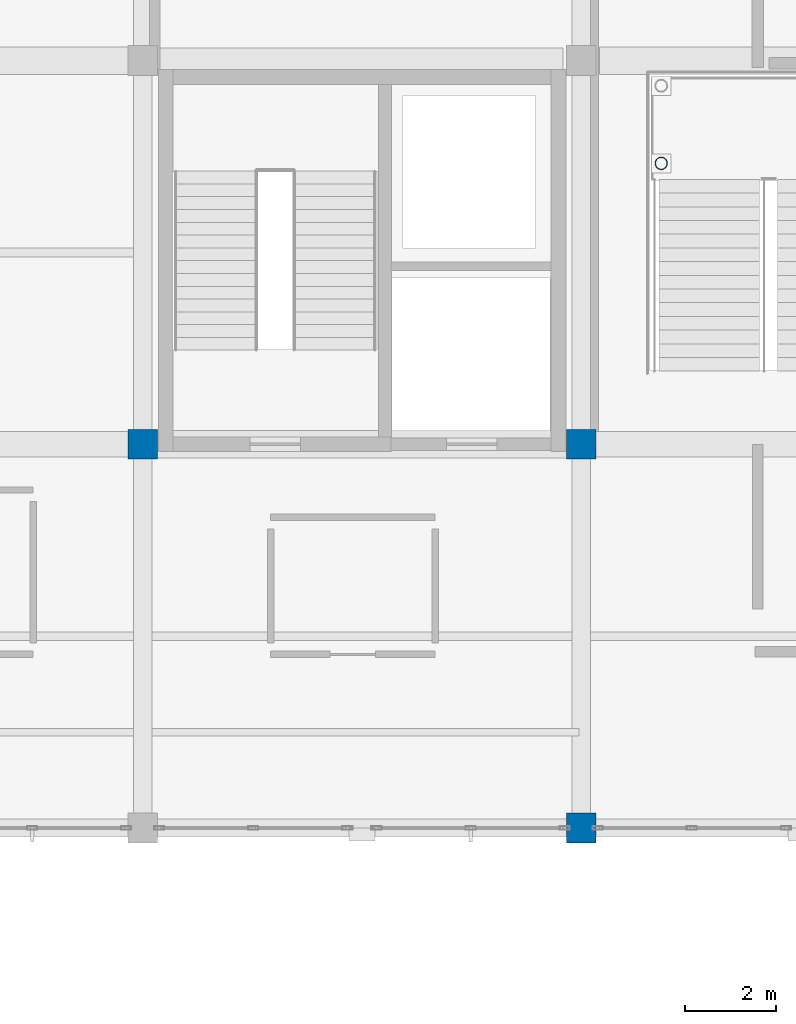
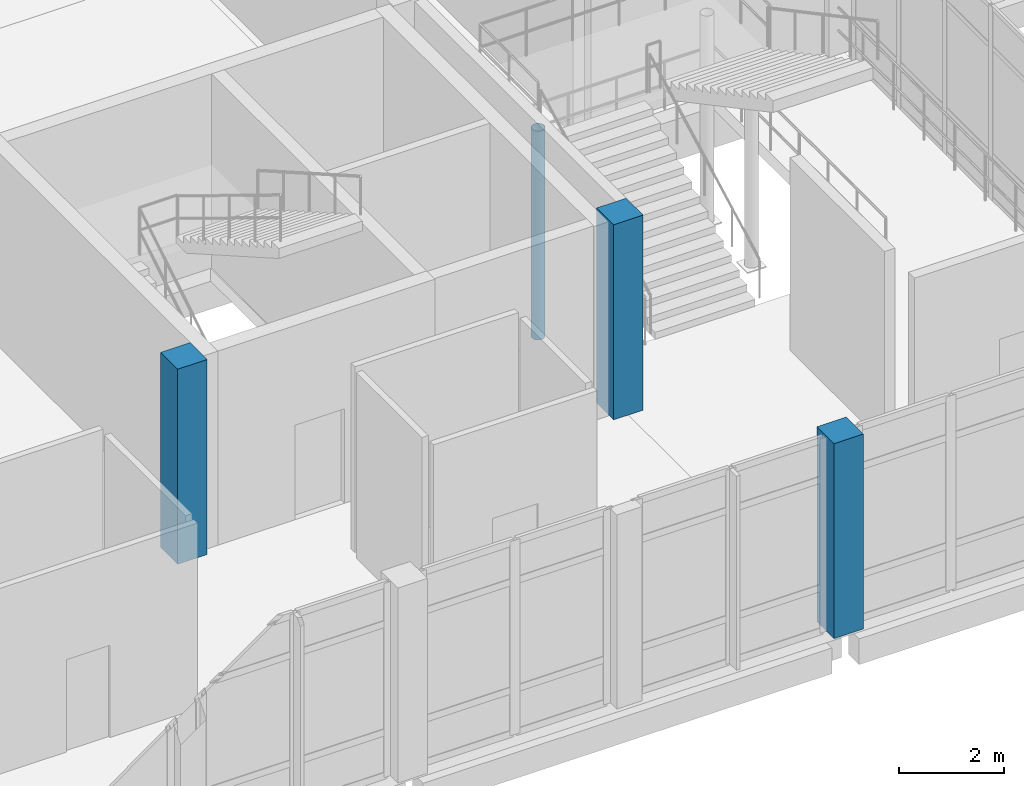
# One storey, part 2 of 102: 4 columns.
"""IFC4 building model written with IfcOpenShell, lengths in metres."""

from ifc_helpers import new_model, si_unit, direction, frame, origin, origin_2d, place, context, subcontext, project, spatial, rectangle, hollow_circle, extrude, material, material_profile, profile_set, type_object, element, save


model = new_model("IFC4")

# Units and contexts
model_context = context("Model", 3, precision=1e-05, world=origin(), true_north=direction((0.0, 1.0)))
body_context = subcontext(model_context, "Body", "Model", "MODEL_VIEW")
ifc_project = project(units=[si_unit("LENGTHUNIT", "METRE"), si_unit("AREAUNIT", "SQUARE_METRE"), si_unit("VOLUMEUNIT", "CUBIC_METRE"), si_unit("PLANEANGLEUNIT", "RADIAN"), si_unit("MASSUNIT", "GRAM", prefix="KILO")], contexts=[model_context])

# Site, building, storey
site_placement = place(None, origin())
site = spatial("IfcSite", under=ifc_project, at=site_placement, CompositionType="ELEMENT")
building_placement = place(site_placement, origin())
building = spatial("IfcBuilding", under=site, at=building_placement, Name="Lornevale Opera House", CompositionType="ELEMENT")
storey_placement = place(building_placement, frame((0.0, 0.0, 5.39990234375)))
storey = spatial("IfcBuildingStorey", under=building, at=storey_placement, Name="L02", CompositionType="ELEMENT", Elevation=5.39990234375)

# Columns
ifc_material_1 = material(Name="Concrete 40 MPa (CSA A23.1 C-1)", Category="concrete")
ifc_material_profile_1 = material_profile(ifc_material_1, rectangle(XDim=0.64990234375, YDim=0.64990234375, at=origin_2d()), Name="RC650x650")
ifc_profile_set_1 = profile_set([ifc_material_profile_1], Name="Concrete 40 MPa (CSA A23.1 C-1)")
column_type_1 = type_object("IfcColumnType", Name="Concrete Column 650x650", PredefinedType="COLUMN", material=ifc_profile_set_1)
for number, where, z_axis, x_axis, name in (
    (1, (48.0, 25.199951171875, 0.0), (0.0, 0.0, 1.0), (1.0, 0.0, 0.0), "Concrete Column 650x650 0297"),
    (2, (57.60009765625, 16.800048828125, 0.0), (0.0, 0.0, 1.0), (1.0, 0.0, 0.0), "Concrete Column 650x650 0355"),
    (3, (57.60009765625, 25.199951171875, 0.0), (0.0, 0.0, 1.0), (1.0, 0.0, 0.0), "Concrete Column 650x650 0360"),
):
    element("IfcColumn", number, at=place(storey_placement, frame(where, z_axis=z_axis, x_axis=x_axis)), inside=storey, type_object=column_type_1, Name=name, PredefinedType="COLUMN", context=body_context, shape_type="SweptSolid", body=[
        extrude(rectangle(XDim=0.64990234375, YDim=0.64990234375, at=origin_2d()), origin(), (0.0, 0.0, 1.0), 4.5400390625),
    ])
ifc_material_2 = material(Name="Structural Steel CSA G40.21 Grade 350W (350 MPa)", Category="steel")
ifc_material_profile_2 = material_profile(ifc_material_2, hollow_circle(Radius=0.136474609375, WallThickness=0.010986328125, at=origin_2d()), Name="HSS273x11")
ifc_profile_set_2 = profile_set([ifc_material_profile_2], Name="Structural Steel CSA G40.21 Grade 350W (350 MPa)")
column_type_2 = type_object("IfcColumnType", Name="Promenade Ramp Mast HSS273x11", PredefinedType="COLUMN", material=ifc_profile_set_2)
column_placement = place(storey_placement, frame((59.35009765625, 31.35009765625, -2.699951171875), z_axis=(0.0, 0.0, 1.0), x_axis=(1.0, 0.0, 0.0)))
element("IfcColumn", 4, at=column_placement, inside=storey, type_object=column_type_2, Name="Grand Stair Landing Post L02 1123", PredefinedType="COLUMN", context=body_context, shape_type="SweptSolid", body=[
    extrude(hollow_circle(Radius=0.136474609375, WallThickness=0.010986328125, at=origin_2d()), origin(), (0.0, 0.0, 1.0), 4.860107421875),
])

save(model, "model.ifc")
